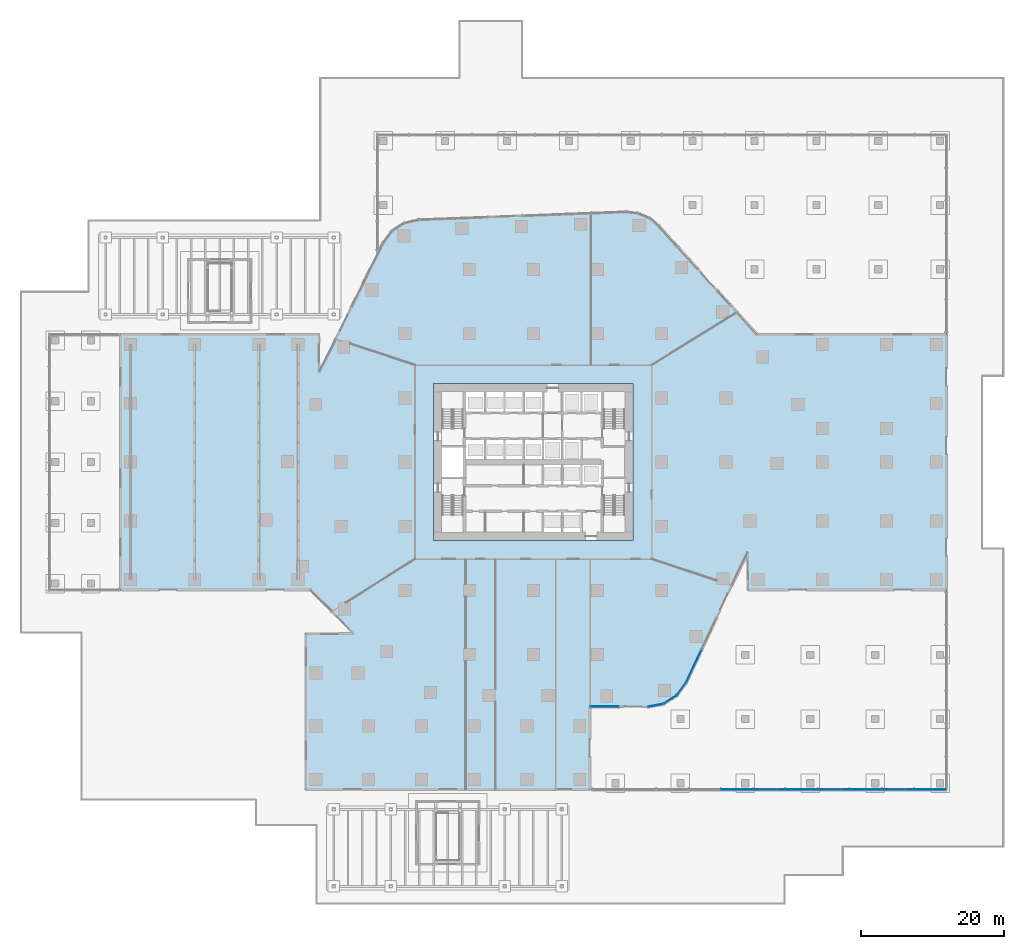
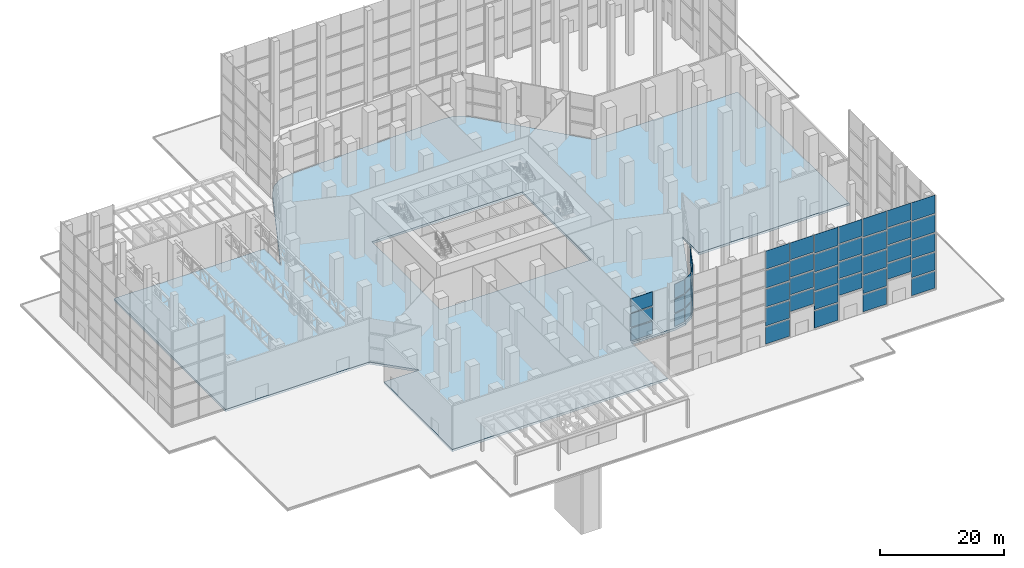
# One storey, part 22 of 40: 47 plates, 1 slab, 10 elements without a shape of their own.
"""IFC4 building model written with IfcOpenShell, lengths in metres."""

from ifc_helpers import new_model, si_unit, direction, frame, origin, origin_2d, place, context, subcontext, project, spatial, polyline, rectangle, outline, extrude, material, layer, layer_set, type_object, element, aggregate, save


model = new_model("IFC4")

# Units and contexts
model_context = context("Model", 3, precision=1e-05, world=origin(), true_north=direction((0.0, 1.0)))
body_context = subcontext(model_context, "Body", "Model", "MODEL_VIEW")
ifc_project = project(units=[si_unit("LENGTHUNIT", "METRE"), si_unit("AREAUNIT", "SQUARE_METRE"), si_unit("VOLUMEUNIT", "CUBIC_METRE"), si_unit("PLANEANGLEUNIT", "RADIAN"), si_unit("MASSUNIT", "GRAM", prefix="KILO")], contexts=[model_context])

# Site, building, storey
site_placement = place(None, origin())
site = spatial("IfcSite", under=ifc_project, at=site_placement, CompositionType="ELEMENT")
building_placement = place(site_placement, origin())
building = spatial("IfcBuilding", under=site, at=building_placement, Name="Dongbaek Canopy Tower", CompositionType="ELEMENT")
storey_placement = place(building_placement, origin())
storey = spatial("IfcBuildingStorey", under=building, at=storey_placement, Name="L00", CompositionType="ELEMENT", Elevation=0.0)

# Curtain wall, plates
ifc_material_1 = material(Name="Aluminium 6063-T6 pale anodised", Category="aluminium")
ifc_layer_1 = layer(ifc_material_1, 0.39990234375)
ifc_layer_set_1 = layer_set([ifc_layer_1], Name="CW-3 lobby double-height curtain wall")
curtain_wall_type = type_object("IfcCurtainWallType", Name="CW-3 lobby double-height curtain wall", PredefinedType="NOTDEFINED", material=ifc_layer_set_1)
curtain_wall_1_placement = place(storey_placement, origin())
curtain_wall_1 = element("IfcCurtainWall", 1, at=curtain_wall_1_placement, inside=storey, type_object=curtain_wall_type, Name="CW-3 curtain wall K0.1", PredefinedType="NOTDEFINED")
ifc_material_2 = material(Name="Clear laminated glass", Category="glass")
ifc_layer_2 = layer(ifc_material_2, 0.0439453125)
ifc_layer_set_2 = layer_set([ifc_layer_2], Name="CW-3 glazed panel 44")
plate_type = type_object("IfcPlateType", Name="CW-3 glazed panel 44", PredefinedType="CURTAIN_PANEL", material=ifc_layer_set_2)
plate_1_placement = place(storey_placement, frame((17.1337890625, -34.110595703125, 0.25), z_axis=(0.0, 0.0, 1.0), x_axis=(0.98292174659, 0.184024020391, 0.0)))
plate_1 = element("IfcPlate", 2, at=plate_1_placement, type_object=plate_type, Name="CW-3 panel K0.1.1.1", PredefinedType="CURTAIN_PANEL", context=body_context, shape_type="SweptSolid", body=[
    extrude(rectangle(XDim=2.108154296875, YDim=0.0439453125, at=origin_2d()), origin(), (0.0, 0.0, 1.0), 2.47509765625),
])
plate_2_placement = place(storey_placement, frame((17.1337890625, -34.110595703125, 2.974853515625), z_axis=(0.0, 0.0, 1.0), x_axis=(0.98292174659, 0.184024020391, 0.0)))
plate_2 = element("IfcPlate", 3, at=plate_2_placement, type_object=plate_type, Name="CW-3 panel K0.1.1.2", PredefinedType="CURTAIN_PANEL", context=body_context, shape_type="SweptSolid", body=[
    extrude(rectangle(XDim=2.108154296875, YDim=0.0439453125, at=origin_2d()), origin(), (0.0, 0.0, 1.0), 2.60009765625),
])
plate_3_placement = place(storey_placement, frame((17.1337890625, -34.110595703125, 5.824951171875), z_axis=(0.0, 0.0, 1.0), x_axis=(0.98292174659, 0.184024020391, 0.0)))
plate_3 = element("IfcPlate", 4, at=plate_3_placement, type_object=plate_type, Name="CW-3 panel K0.1.1.3", PredefinedType="CURTAIN_PANEL", context=body_context, shape_type="SweptSolid", body=[
    extrude(rectangle(XDim=2.108154296875, YDim=0.0439453125, at=origin_2d()), origin(), (0.0, 0.0, 1.0), 2.72509765625),
])
plate_4_placement = place(storey_placement, frame((19.169921875, -33.31103515625, 0.25), z_axis=(0.0, 0.0, 1.0), x_axis=(0.845033442045, 0.534713457681, 0.0)))
plate_4 = element("IfcPlate", 5, at=plate_4_placement, type_object=plate_type, Name="CW-3 panel K0.1.2.1", PredefinedType="CURTAIN_PANEL", context=body_context, shape_type="SweptSolid", body=[
    extrude(rectangle(XDim=2.0986328125, YDim=0.0439453125, at=origin_2d()), origin(), (0.0, 0.0, 1.0), 2.47509765625),
])
plate_5_placement = place(storey_placement, frame((19.169921875, -33.31103515625, 2.974853515625), z_axis=(0.0, 0.0, 1.0), x_axis=(0.845033442045, 0.534713457681, 0.0)))
plate_5 = element("IfcPlate", 6, at=plate_5_placement, type_object=plate_type, Name="CW-3 panel K0.1.2.2", PredefinedType="CURTAIN_PANEL", context=body_context, shape_type="SweptSolid", body=[
    extrude(rectangle(XDim=2.0986328125, YDim=0.0439453125, at=origin_2d()), origin(), (0.0, 0.0, 1.0), 2.60009765625),
])
plate_6_placement = place(storey_placement, frame((19.169921875, -33.31103515625, 5.824951171875), z_axis=(0.0, 0.0, 1.0), x_axis=(0.845033442045, 0.534713457681, 0.0)))
plate_6 = element("IfcPlate", 7, at=plate_6_placement, type_object=plate_type, Name="CW-3 panel K0.1.2.3", PredefinedType="CURTAIN_PANEL", context=body_context, shape_type="SweptSolid", body=[
    extrude(rectangle(XDim=2.0986328125, YDim=0.0439453125, at=origin_2d()), origin(), (0.0, 0.0, 1.0), 2.72509765625),
])
plate_7_placement = place(storey_placement, frame((20.764404296875, -31.813232421875, 0.25), z_axis=(0.0, 0.0, 1.0), x_axis=(0.587153663418, 0.809475494092, 0.0)))
plate_7 = element("IfcPlate", 8, at=plate_7_placement, type_object=plate_type, Name="CW-3 panel K0.1.3.1", PredefinedType="CURTAIN_PANEL", context=body_context, shape_type="SweptSolid", body=[
    extrude(rectangle(XDim=2.108154296875, YDim=0.0439453125, at=origin_2d()), origin(), (0.0, 0.0, 1.0), 2.47509765625),
])
plate_8_placement = place(storey_placement, frame((20.764404296875, -31.813232421875, 2.974853515625), z_axis=(0.0, 0.0, 1.0), x_axis=(0.587153663418, 0.809475494092, 0.0)))
plate_8 = element("IfcPlate", 9, at=plate_8_placement, type_object=plate_type, Name="CW-3 panel K0.1.3.2", PredefinedType="CURTAIN_PANEL", context=body_context, shape_type="SweptSolid", body=[
    extrude(rectangle(XDim=2.108154296875, YDim=0.0439453125, at=origin_2d()), origin(), (0.0, 0.0, 1.0), 2.60009765625),
])
plate_9_placement = place(storey_placement, frame((20.764404296875, -31.813232421875, 5.824951171875), z_axis=(0.0, 0.0, 1.0), x_axis=(0.587153663418, 0.809475494092, 0.0)))
plate_9 = element("IfcPlate", 10, at=plate_9_placement, type_object=plate_type, Name="CW-3 panel K0.1.3.3", PredefinedType="CURTAIN_PANEL", context=body_context, shape_type="SweptSolid", body=[
    extrude(rectangle(XDim=2.108154296875, YDim=0.0439453125, at=origin_2d()), origin(), (0.0, 0.0, 1.0), 2.72509765625),
])
aggregate(curtain_wall_1, [plate_1, plate_2, plate_3, plate_4, plate_5, plate_6, plate_7, plate_8, plate_9])

curtain_wall_2_placement = place(storey_placement, origin())
curtain_wall_2 = element("IfcCurtainWall", 11, at=curtain_wall_2_placement, inside=storey, type_object=curtain_wall_type, Name="CW-3 curtain wall F0.1", PredefinedType="NOTDEFINED")
plate_10_placement = place(storey_placement, frame((22.4794921875, -28.64697265625, 0.25), z_axis=(0.0, 0.0, 1.0), x_axis=(0.42412285893, 0.905604660176, 0.0)))
plate_10 = element("IfcPlate", 12, at=plate_10_placement, type_object=plate_type, Name="CW-3 panel F0.1.1.1", PredefinedType="CURTAIN_PANEL", context=body_context, shape_type="SweptSolid", body=[
    extrude(rectangle(XDim=4.873291015625, YDim=0.0439453125, at=origin_2d()), origin(), (0.0, 0.0, 1.0), 2.47509765625),
])
plate_11_placement = place(storey_placement, frame((22.4794921875, -28.64697265625, 2.974853515625), z_axis=(0.0, 0.0, 1.0), x_axis=(0.42412285893, 0.905604660176, 0.0)))
plate_11 = element("IfcPlate", 13, at=plate_11_placement, type_object=plate_type, Name="CW-3 panel F0.1.1.2", PredefinedType="CURTAIN_PANEL", context=body_context, shape_type="SweptSolid", body=[
    extrude(rectangle(XDim=4.873291015625, YDim=0.0439453125, at=origin_2d()), origin(), (0.0, 0.0, 1.0), 2.60009765625),
])
plate_12_placement = place(storey_placement, frame((22.4794921875, -28.64697265625, 5.824951171875), z_axis=(0.0, 0.0, 1.0), x_axis=(0.42412285893, 0.905604660176, 0.0)))
plate_12 = element("IfcPlate", 14, at=plate_12_placement, type_object=plate_type, Name="CW-3 panel F0.1.1.3", PredefinedType="CURTAIN_PANEL", context=body_context, shape_type="SweptSolid", body=[
    extrude(rectangle(XDim=4.873291015625, YDim=0.0439453125, at=origin_2d()), origin(), (0.0, 0.0, 1.0), 2.72509765625),
])
aggregate(curtain_wall_2, [plate_10, plate_11, plate_12])

curtain_wall_3_placement = place(storey_placement, origin())
curtain_wall_3 = element("IfcCurtainWall", 15, at=curtain_wall_3_placement, inside=storey, type_object=curtain_wall_type, Name="CW-3 curtain wall F17.1", PredefinedType="NOTDEFINED")
plate_13_placement = place(storey_placement, frame((9.961669921875, -34.288818359375, 0.25), z_axis=(0.0, 0.0, 1.0), x_axis=(0.999990026698, -0.004466151006, 0.0)))
plate_13 = element("IfcPlate", 16, at=plate_13_placement, type_object=plate_type, Name="CW-3 panel F17.1.1.1", PredefinedType="CURTAIN_PANEL", context=body_context, shape_type="SweptSolid", body=[
    extrude(rectangle(XDim=3.999267578125, YDim=0.0439453125, at=origin_2d()), origin(), (0.0, 0.0, 1.0), 2.47509765625),
])
plate_14_placement = place(storey_placement, frame((9.961669921875, -34.288818359375, 2.974853515625), z_axis=(0.0, 0.0, 1.0), x_axis=(0.999990026698, -0.004466151006, 0.0)))
plate_14 = element("IfcPlate", 17, at=plate_14_placement, type_object=plate_type, Name="CW-3 panel F17.1.1.2", PredefinedType="CURTAIN_PANEL", context=body_context, shape_type="SweptSolid", body=[
    extrude(rectangle(XDim=3.999267578125, YDim=0.0439453125, at=origin_2d()), origin(), (0.0, 0.0, 1.0), 2.60009765625),
])
plate_15_placement = place(storey_placement, frame((9.961669921875, -34.288818359375, 5.824951171875), z_axis=(0.0, 0.0, 1.0), x_axis=(0.999990026698, -0.004466151006, 0.0)))
plate_15 = element("IfcPlate", 18, at=plate_15_placement, type_object=plate_type, Name="CW-3 panel F17.1.1.3", PredefinedType="CURTAIN_PANEL", context=body_context, shape_type="SweptSolid", body=[
    extrude(rectangle(XDim=3.999267578125, YDim=0.0439453125, at=origin_2d()), origin(), (0.0, 0.0, 1.0), 2.72509765625),
])
aggregate(curtain_wall_3, [plate_13, plate_14, plate_15])

curtain_wall_4_placement = place(storey_placement, origin())
curtain_wall_4 = element("IfcCurtainWall", 19, at=curtain_wall_4_placement, inside=storey, type_object=curtain_wall_type, Name="CW-3 curtain wall HSS.3", PredefinedType="NOTDEFINED")
plate_16_placement = place(storey_placement, frame((28.53173828125, -45.89990234375, 0.25), z_axis=(0.0, 0.0, 1.0), x_axis=(1.0, 0.0, 0.0)))
plate_16 = element("IfcPlate", 20, at=plate_16_placement, type_object=plate_type, Name="CW-3 panel HSS.3.1.1", PredefinedType="CURTAIN_PANEL", context=body_context, shape_type="SweptSolid", body=[
    extrude(rectangle(XDim=4.394287109375, YDim=0.0439453125, at=origin_2d()), origin(), (0.0, 0.0, 1.0), 3.3349609375),
])
plate_17_placement = place(storey_placement, frame((28.53173828125, -45.89990234375, 3.8349609375), z_axis=(0.0, 0.0, 1.0), x_axis=(1.0, 0.0, 0.0)))
plate_17 = element("IfcPlate", 21, at=plate_17_placement, type_object=plate_type, Name="CW-3 panel HSS.3.1.2", PredefinedType="CURTAIN_PANEL", context=body_context, shape_type="SweptSolid", body=[
    extrude(rectangle(XDim=4.394287109375, YDim=0.0439453125, at=origin_2d()), origin(), (0.0, 0.0, 1.0), 3.4599609375),
])
plate_18_placement = place(storey_placement, frame((28.53173828125, -45.89990234375, 7.544921875), z_axis=(0.0, 0.0, 1.0), x_axis=(1.0, 0.0, 0.0)))
plate_18 = element("IfcPlate", 22, at=plate_18_placement, type_object=plate_type, Name="CW-3 panel HSS.3.1.3", PredefinedType="CURTAIN_PANEL", context=body_context, shape_type="SweptSolid", body=[
    extrude(rectangle(XDim=4.394287109375, YDim=0.0439453125, at=origin_2d()), origin(), (0.0, 0.0, 1.0), 3.4599609375),
])
plate_19_placement = place(storey_placement, frame((28.53173828125, -45.89990234375, 11.255126953125), z_axis=(0.0, 0.0, 1.0), x_axis=(1.0, 0.0, 0.0)))
plate_19 = element("IfcPlate", 23, at=plate_19_placement, type_object=plate_type, Name="CW-3 panel HSS.3.1.4", PredefinedType="CURTAIN_PANEL", context=body_context, shape_type="SweptSolid", body=[
    extrude(rectangle(XDim=4.394287109375, YDim=0.0439453125, at=origin_2d()), origin(), (0.0, 0.0, 1.0), 3.4599609375),
])
plate_20_placement = place(storey_placement, frame((28.53173828125, -45.89990234375, 14.965087890625), z_axis=(0.0, 0.0, 1.0), x_axis=(1.0, 0.0, 0.0)))
plate_20 = element("IfcPlate", 24, at=plate_20_placement, type_object=plate_type, Name="CW-3 panel HSS.3.1.5", PredefinedType="CURTAIN_PANEL", context=body_context, shape_type="SweptSolid", body=[
    extrude(rectangle(XDim=4.394287109375, YDim=0.0439453125, at=origin_2d()), origin(), (0.0, 0.0, 1.0), 3.5849609375),
])
aggregate(curtain_wall_4, [plate_16, plate_17, plate_18, plate_19, plate_20])

curtain_wall_5_placement = place(storey_placement, origin())
curtain_wall_5 = element("IfcCurtainWall", 25, at=curtain_wall_5_placement, inside=storey, type_object=curtain_wall_type, Name="CW-3 curtain wall HSS.6U", PredefinedType="NOTDEFINED")
plate_21_placement = place(storey_placement, frame((33.050048828125, -45.89990234375, 5.050048828125), z_axis=(0.0, 0.0, 1.0), x_axis=(1.0, 0.0, 0.0)))
plate_21 = element("IfcPlate", 26, at=plate_21_placement, type_object=plate_type, Name="CW-3 panel HSS.6U.1.1", PredefinedType="CURTAIN_PANEL", context=body_context, shape_type="SweptSolid", body=[
    extrude(rectangle(XDim=4.394287109375, YDim=0.0439453125, at=origin_2d()), origin(), (0.0, 0.0, 1.0), 3.0625),
])
plate_22_placement = place(storey_placement, frame((33.050048828125, -45.89990234375, 8.362548828125), z_axis=(0.0, 0.0, 1.0), x_axis=(1.0, 0.0, 0.0)))
plate_22 = element("IfcPlate", 27, at=plate_22_placement, type_object=plate_type, Name="CW-3 panel HSS.6U.1.2", PredefinedType="CURTAIN_PANEL", context=body_context, shape_type="SweptSolid", body=[
    extrude(rectangle(XDim=4.394287109375, YDim=0.0439453125, at=origin_2d()), origin(), (0.0, 0.0, 1.0), 3.1875),
])
plate_23_placement = place(storey_placement, frame((33.050048828125, -45.89990234375, 11.800048828125), z_axis=(0.0, 0.0, 1.0), x_axis=(1.0, 0.0, 0.0)))
plate_23 = element("IfcPlate", 28, at=plate_23_placement, type_object=plate_type, Name="CW-3 panel HSS.6U.1.3", PredefinedType="CURTAIN_PANEL", context=body_context, shape_type="SweptSolid", body=[
    extrude(rectangle(XDim=4.394287109375, YDim=0.0439453125, at=origin_2d()), origin(), (0.0, 0.0, 1.0), 3.1875),
])
plate_24_placement = place(storey_placement, frame((33.050048828125, -45.89990234375, 15.237548828125), z_axis=(0.0, 0.0, 1.0), x_axis=(1.0, 0.0, 0.0)))
plate_24 = element("IfcPlate", 29, at=plate_24_placement, type_object=plate_type, Name="CW-3 panel HSS.6U.1.4", PredefinedType="CURTAIN_PANEL", context=body_context, shape_type="SweptSolid", body=[
    extrude(rectangle(XDim=4.394287109375, YDim=0.0439453125, at=origin_2d()), origin(), (0.0, 0.0, 1.0), 3.3125),
])
aggregate(curtain_wall_5, [plate_21, plate_22, plate_23, plate_24])

curtain_wall_6_placement = place(storey_placement, origin())
curtain_wall_6 = element("IfcCurtainWall", 30, at=curtain_wall_6_placement, inside=storey, type_object=curtain_wall_type, Name="CW-3 curtain wall HSS.4", PredefinedType="NOTDEFINED")
plate_25_placement = place(storey_placement, frame((37.568115234375, -45.89990234375, 0.25), z_axis=(0.0, 0.0, 1.0), x_axis=(1.0, 0.0, 0.0)))
plate_25 = element("IfcPlate", 31, at=plate_25_placement, type_object=plate_type, Name="CW-3 panel HSS.4.1.1", PredefinedType="CURTAIN_PANEL", context=body_context, shape_type="SweptSolid", body=[
    extrude(rectangle(XDim=4.394287109375, YDim=0.0439453125, at=origin_2d()), origin(), (0.0, 0.0, 1.0), 3.3349609375),
])
plate_26_placement = place(storey_placement, frame((37.568115234375, -45.89990234375, 3.8349609375), z_axis=(0.0, 0.0, 1.0), x_axis=(1.0, 0.0, 0.0)))
plate_26 = element("IfcPlate", 32, at=plate_26_placement, type_object=plate_type, Name="CW-3 panel HSS.4.1.2", PredefinedType="CURTAIN_PANEL", context=body_context, shape_type="SweptSolid", body=[
    extrude(rectangle(XDim=4.394287109375, YDim=0.0439453125, at=origin_2d()), origin(), (0.0, 0.0, 1.0), 3.4599609375),
])
plate_27_placement = place(storey_placement, frame((37.568115234375, -45.89990234375, 7.544921875), z_axis=(0.0, 0.0, 1.0), x_axis=(1.0, 0.0, 0.0)))
plate_27 = element("IfcPlate", 33, at=plate_27_placement, type_object=plate_type, Name="CW-3 panel HSS.4.1.3", PredefinedType="CURTAIN_PANEL", context=body_context, shape_type="SweptSolid", body=[
    extrude(rectangle(XDim=4.394287109375, YDim=0.0439453125, at=origin_2d()), origin(), (0.0, 0.0, 1.0), 3.4599609375),
])
plate_28_placement = place(storey_placement, frame((37.568115234375, -45.89990234375, 11.255126953125), z_axis=(0.0, 0.0, 1.0), x_axis=(1.0, 0.0, 0.0)))
plate_28 = element("IfcPlate", 34, at=plate_28_placement, type_object=plate_type, Name="CW-3 panel HSS.4.1.4", PredefinedType="CURTAIN_PANEL", context=body_context, shape_type="SweptSolid", body=[
    extrude(rectangle(XDim=4.394287109375, YDim=0.0439453125, at=origin_2d()), origin(), (0.0, 0.0, 1.0), 3.4599609375),
])
plate_29_placement = place(storey_placement, frame((37.568115234375, -45.89990234375, 14.965087890625), z_axis=(0.0, 0.0, 1.0), x_axis=(1.0, 0.0, 0.0)))
plate_29 = element("IfcPlate", 35, at=plate_29_placement, type_object=plate_type, Name="CW-3 panel HSS.4.1.5", PredefinedType="CURTAIN_PANEL", context=body_context, shape_type="SweptSolid", body=[
    extrude(rectangle(XDim=4.394287109375, YDim=0.0439453125, at=origin_2d()), origin(), (0.0, 0.0, 1.0), 3.5849609375),
])
aggregate(curtain_wall_6, [plate_25, plate_26, plate_27, plate_28, plate_29])

curtain_wall_7_placement = place(storey_placement, origin())
curtain_wall_7 = element("IfcCurtainWall", 36, at=curtain_wall_7_placement, inside=storey, type_object=curtain_wall_type, Name="CW-3 curtain wall HSS.8U", PredefinedType="NOTDEFINED")
plate_30_placement = place(storey_placement, frame((42.08642578125, -45.89990234375, 5.050048828125), z_axis=(0.0, 0.0, 1.0), x_axis=(1.0, 0.0, 0.0)))
plate_30 = element("IfcPlate", 37, at=plate_30_placement, type_object=plate_type, Name="CW-3 panel HSS.8U.1.1", PredefinedType="CURTAIN_PANEL", context=body_context, shape_type="SweptSolid", body=[
    extrude(rectangle(XDim=4.394287109375, YDim=0.0439453125, at=origin_2d()), origin(), (0.0, 0.0, 1.0), 3.0625),
])
plate_31_placement = place(storey_placement, frame((42.08642578125, -45.89990234375, 8.362548828125), z_axis=(0.0, 0.0, 1.0), x_axis=(1.0, 0.0, 0.0)))
plate_31 = element("IfcPlate", 38, at=plate_31_placement, type_object=plate_type, Name="CW-3 panel HSS.8U.1.2", PredefinedType="CURTAIN_PANEL", context=body_context, shape_type="SweptSolid", body=[
    extrude(rectangle(XDim=4.394287109375, YDim=0.0439453125, at=origin_2d()), origin(), (0.0, 0.0, 1.0), 3.1875),
])
plate_32_placement = place(storey_placement, frame((42.08642578125, -45.89990234375, 11.800048828125), z_axis=(0.0, 0.0, 1.0), x_axis=(1.0, 0.0, 0.0)))
plate_32 = element("IfcPlate", 39, at=plate_32_placement, type_object=plate_type, Name="CW-3 panel HSS.8U.1.3", PredefinedType="CURTAIN_PANEL", context=body_context, shape_type="SweptSolid", body=[
    extrude(rectangle(XDim=4.394287109375, YDim=0.0439453125, at=origin_2d()), origin(), (0.0, 0.0, 1.0), 3.1875),
])
plate_33_placement = place(storey_placement, frame((42.08642578125, -45.89990234375, 15.237548828125), z_axis=(0.0, 0.0, 1.0), x_axis=(1.0, 0.0, 0.0)))
plate_33 = element("IfcPlate", 40, at=plate_33_placement, type_object=plate_type, Name="CW-3 panel HSS.8U.1.4", PredefinedType="CURTAIN_PANEL", context=body_context, shape_type="SweptSolid", body=[
    extrude(rectangle(XDim=4.394287109375, YDim=0.0439453125, at=origin_2d()), origin(), (0.0, 0.0, 1.0), 3.3125),
])
aggregate(curtain_wall_7, [plate_30, plate_31, plate_32, plate_33])

curtain_wall_8_placement = place(storey_placement, origin())
curtain_wall_8 = element("IfcCurtainWall", 41, at=curtain_wall_8_placement, inside=storey, type_object=curtain_wall_type, Name="CW-3 curtain wall HSS.5", PredefinedType="NOTDEFINED")
plate_34_placement = place(storey_placement, frame((46.6044921875, -45.89990234375, 0.25), z_axis=(0.0, 0.0, 1.0), x_axis=(1.0, 0.0, 0.0)))
plate_34 = element("IfcPlate", 42, at=plate_34_placement, type_object=plate_type, Name="CW-3 panel HSS.5.1.1", PredefinedType="CURTAIN_PANEL", context=body_context, shape_type="SweptSolid", body=[
    extrude(rectangle(XDim=4.394287109375, YDim=0.0439453125, at=origin_2d()), origin(), (0.0, 0.0, 1.0), 3.3349609375),
])
plate_35_placement = place(storey_placement, frame((46.6044921875, -45.89990234375, 3.8349609375), z_axis=(0.0, 0.0, 1.0), x_axis=(1.0, 0.0, 0.0)))
plate_35 = element("IfcPlate", 43, at=plate_35_placement, type_object=plate_type, Name="CW-3 panel HSS.5.1.2", PredefinedType="CURTAIN_PANEL", context=body_context, shape_type="SweptSolid", body=[
    extrude(rectangle(XDim=4.394287109375, YDim=0.0439453125, at=origin_2d()), origin(), (0.0, 0.0, 1.0), 3.4599609375),
])
plate_36_placement = place(storey_placement, frame((46.6044921875, -45.89990234375, 7.544921875), z_axis=(0.0, 0.0, 1.0), x_axis=(1.0, 0.0, 0.0)))
plate_36 = element("IfcPlate", 44, at=plate_36_placement, type_object=plate_type, Name="CW-3 panel HSS.5.1.3", PredefinedType="CURTAIN_PANEL", context=body_context, shape_type="SweptSolid", body=[
    extrude(rectangle(XDim=4.394287109375, YDim=0.0439453125, at=origin_2d()), origin(), (0.0, 0.0, 1.0), 3.4599609375),
])
plate_37_placement = place(storey_placement, frame((46.6044921875, -45.89990234375, 11.255126953125), z_axis=(0.0, 0.0, 1.0), x_axis=(1.0, 0.0, 0.0)))
plate_37 = element("IfcPlate", 45, at=plate_37_placement, type_object=plate_type, Name="CW-3 panel HSS.5.1.4", PredefinedType="CURTAIN_PANEL", context=body_context, shape_type="SweptSolid", body=[
    extrude(rectangle(XDim=4.394287109375, YDim=0.0439453125, at=origin_2d()), origin(), (0.0, 0.0, 1.0), 3.4599609375),
])
plate_38_placement = place(storey_placement, frame((46.6044921875, -45.89990234375, 14.965087890625), z_axis=(0.0, 0.0, 1.0), x_axis=(1.0, 0.0, 0.0)))
plate_38 = element("IfcPlate", 46, at=plate_38_placement, type_object=plate_type, Name="CW-3 panel HSS.5.1.5", PredefinedType="CURTAIN_PANEL", context=body_context, shape_type="SweptSolid", body=[
    extrude(rectangle(XDim=4.394287109375, YDim=0.0439453125, at=origin_2d()), origin(), (0.0, 0.0, 1.0), 3.5849609375),
])
aggregate(curtain_wall_8, [plate_34, plate_35, plate_36, plate_37, plate_38])

curtain_wall_9_placement = place(storey_placement, origin())
curtain_wall_9 = element("IfcCurtainWall", 47, at=curtain_wall_9_placement, inside=storey, type_object=curtain_wall_type, Name="CW-3 curtain wall HSS.10U", PredefinedType="NOTDEFINED")
plate_39_placement = place(storey_placement, frame((51.122802734375, -45.89990234375, 5.050048828125), z_axis=(0.0, 0.0, 1.0), x_axis=(1.0, 0.0, 0.0)))
plate_39 = element("IfcPlate", 48, at=plate_39_placement, type_object=plate_type, Name="CW-3 panel HSS.10U.1.1", PredefinedType="CURTAIN_PANEL", context=body_context, shape_type="SweptSolid", body=[
    extrude(rectangle(XDim=4.394287109375, YDim=0.0439453125, at=origin_2d()), origin(), (0.0, 0.0, 1.0), 3.0625),
])
plate_40_placement = place(storey_placement, frame((51.122802734375, -45.89990234375, 8.362548828125), z_axis=(0.0, 0.0, 1.0), x_axis=(1.0, 0.0, 0.0)))
plate_40 = element("IfcPlate", 49, at=plate_40_placement, type_object=plate_type, Name="CW-3 panel HSS.10U.1.2", PredefinedType="CURTAIN_PANEL", context=body_context, shape_type="SweptSolid", body=[
    extrude(rectangle(XDim=4.394287109375, YDim=0.0439453125, at=origin_2d()), origin(), (0.0, 0.0, 1.0), 3.1875),
])
plate_41_placement = place(storey_placement, frame((51.122802734375, -45.89990234375, 11.800048828125), z_axis=(0.0, 0.0, 1.0), x_axis=(1.0, 0.0, 0.0)))
plate_41 = element("IfcPlate", 50, at=plate_41_placement, type_object=plate_type, Name="CW-3 panel HSS.10U.1.3", PredefinedType="CURTAIN_PANEL", context=body_context, shape_type="SweptSolid", body=[
    extrude(rectangle(XDim=4.394287109375, YDim=0.0439453125, at=origin_2d()), origin(), (0.0, 0.0, 1.0), 3.1875),
])
plate_42_placement = place(storey_placement, frame((51.122802734375, -45.89990234375, 15.237548828125), z_axis=(0.0, 0.0, 1.0), x_axis=(1.0, 0.0, 0.0)))
plate_42 = element("IfcPlate", 51, at=plate_42_placement, type_object=plate_type, Name="CW-3 panel HSS.10U.1.4", PredefinedType="CURTAIN_PANEL", context=body_context, shape_type="SweptSolid", body=[
    extrude(rectangle(XDim=4.394287109375, YDim=0.0439453125, at=origin_2d()), origin(), (0.0, 0.0, 1.0), 3.3125),
])
aggregate(curtain_wall_9, [plate_39, plate_40, plate_41, plate_42])

curtain_wall_10_placement = place(storey_placement, origin())
curtain_wall_10 = element("IfcCurtainWall", 52, at=curtain_wall_10_placement, inside=storey, type_object=curtain_wall_type, Name="CW-3 curtain wall HSS.6", PredefinedType="NOTDEFINED")
plate_43_placement = place(storey_placement, frame((55.640869140625, -45.89990234375, 0.25), z_axis=(0.0, 0.0, 1.0), x_axis=(1.0, 0.0, 0.0)))
plate_43 = element("IfcPlate", 53, at=plate_43_placement, type_object=plate_type, Name="CW-3 panel HSS.6.1.1", PredefinedType="CURTAIN_PANEL", context=body_context, shape_type="SweptSolid", body=[
    extrude(rectangle(XDim=4.394287109375, YDim=0.0439453125, at=origin_2d()), origin(), (0.0, 0.0, 1.0), 3.3349609375),
])
plate_44_placement = place(storey_placement, frame((55.640869140625, -45.89990234375, 3.8349609375), z_axis=(0.0, 0.0, 1.0), x_axis=(1.0, 0.0, 0.0)))
plate_44 = element("IfcPlate", 54, at=plate_44_placement, type_object=plate_type, Name="CW-3 panel HSS.6.1.2", PredefinedType="CURTAIN_PANEL", context=body_context, shape_type="SweptSolid", body=[
    extrude(rectangle(XDim=4.394287109375, YDim=0.0439453125, at=origin_2d()), origin(), (0.0, 0.0, 1.0), 3.4599609375),
])
plate_45_placement = place(storey_placement, frame((55.640869140625, -45.89990234375, 7.544921875), z_axis=(0.0, 0.0, 1.0), x_axis=(1.0, 0.0, 0.0)))
plate_45 = element("IfcPlate", 55, at=plate_45_placement, type_object=plate_type, Name="CW-3 panel HSS.6.1.3", PredefinedType="CURTAIN_PANEL", context=body_context, shape_type="SweptSolid", body=[
    extrude(rectangle(XDim=4.394287109375, YDim=0.0439453125, at=origin_2d()), origin(), (0.0, 0.0, 1.0), 3.4599609375),
])
plate_46_placement = place(storey_placement, frame((55.640869140625, -45.89990234375, 11.255126953125), z_axis=(0.0, 0.0, 1.0), x_axis=(1.0, 0.0, 0.0)))
plate_46 = element("IfcPlate", 56, at=plate_46_placement, type_object=plate_type, Name="CW-3 panel HSS.6.1.4", PredefinedType="CURTAIN_PANEL", context=body_context, shape_type="SweptSolid", body=[
    extrude(rectangle(XDim=4.394287109375, YDim=0.0439453125, at=origin_2d()), origin(), (0.0, 0.0, 1.0), 3.4599609375),
])
plate_47_placement = place(storey_placement, frame((55.640869140625, -45.89990234375, 14.965087890625), z_axis=(0.0, 0.0, 1.0), x_axis=(1.0, 0.0, 0.0)))
plate_47 = element("IfcPlate", 57, at=plate_47_placement, type_object=plate_type, Name="CW-3 panel HSS.6.1.5", PredefinedType="CURTAIN_PANEL", context=body_context, shape_type="SweptSolid", body=[
    extrude(rectangle(XDim=4.394287109375, YDim=0.0439453125, at=origin_2d()), origin(), (0.0, 0.0, 1.0), 3.5849609375),
])
aggregate(curtain_wall_10, [plate_43, plate_44, plate_45, plate_46, plate_47])

# Slab
ifc_material_3 = material(Name="Concrete C40", Category="concrete")
ifc_layer_3 = layer(ifc_material_3, 0.449951171875)
ifc_layer_set_3 = layer_set([ifc_layer_3], Name="RC FLAT PLATE 450 Concrete C40")
slab_type = type_object("IfcSlabType", Name="RC FLAT PLATE 450 Concrete C40", PredefinedType="FLOOR", material=ifc_layer_set_3)
slab_placement = place(storey_placement, frame((0.0, 0.0, -0.449951171875)))
element("IfcSlab", 58, at=slab_placement, inside=storey, type_object=slab_type, Name="SLAB:L00", PredefinedType="FLOOR", context=body_context, shape_type="SweptSolid", body=[
    extrude(outline(polyline([(-25.382080078125, -24.0), (-31.291748046875, -18.0), (-58.0, -18.0), (-58.0, 18.0), (-30.0, 18.0), (-30.0, 12.802734375), (-21.17919921875, 30.7373046875), (-19.90771484375, 32.4580078125), (-18.113525390625, 33.623291015625), (-16.0244140625, 34.0849609375), (12.918701171875, 35.1923828125), (14.64892578125, 35.006103515625), (16.252685546875, 34.3310546875), (17.595458984375, 33.224365234375), (31.3828125, 18.0), (58.0, 18.0), (58.0, -18.0), (30.0, -18.0), (30.0, -12.824462890625), (21.506103515625, -30.960693359375), (20.1787109375, -32.791015625), (18.26806640625, -34.0), (16.0458984375, -34.416015625), (8.0, -34.380126953125), (8.0, -46.0), (-32.0, -46.0), (-32.0, -24.0), (-25.382080078125, -24.0)]), holes=[polyline([(14.0, 11.0), (-14.0, 11.0), (-14.0, -11.0), (14.0, -11.0), (14.0, 11.0)])]), origin(), (0.0, 0.0, 1.0), 0.449951171875),
])

save(model, "model.ifc")
